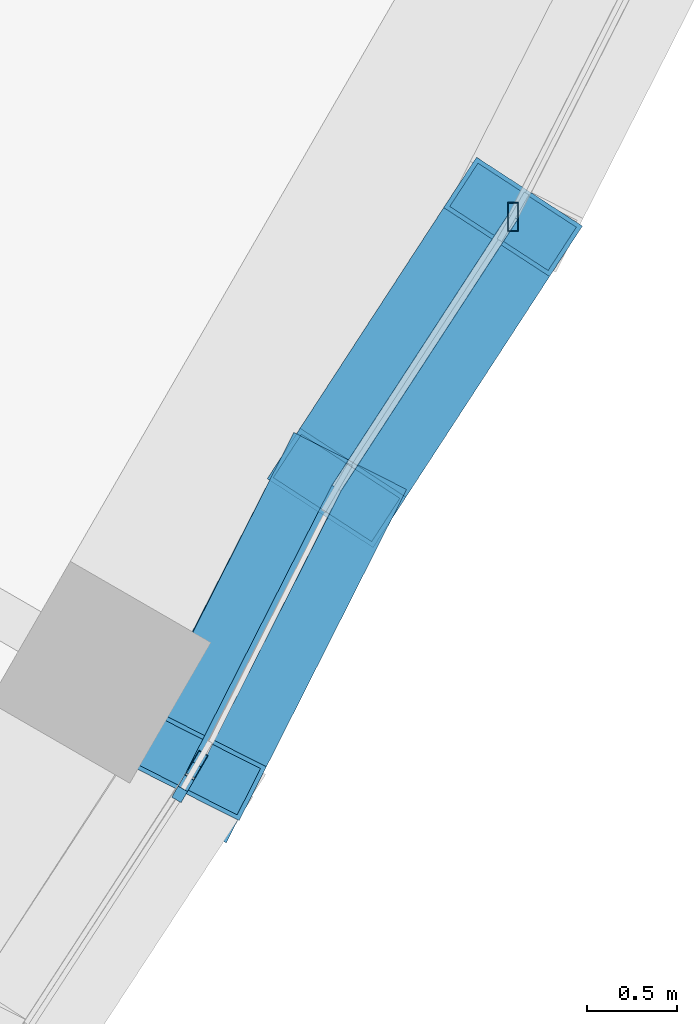
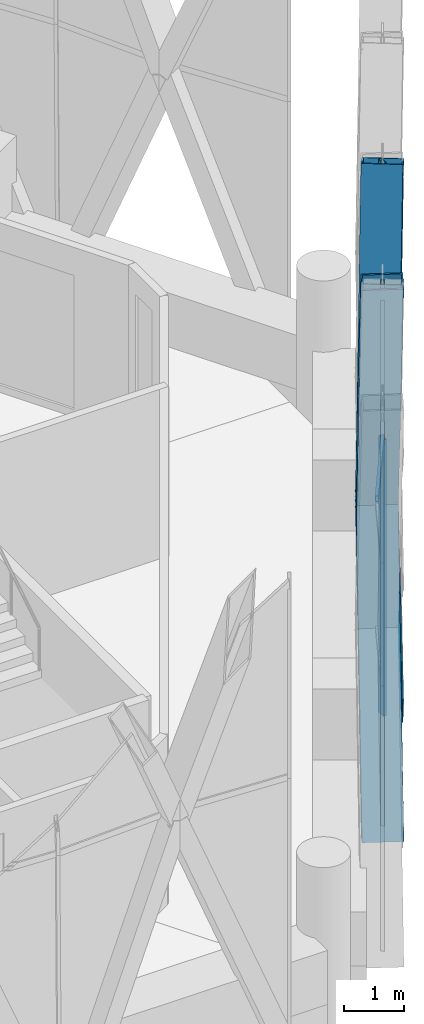
# One storey, part 7 of 21: 10 members, 2 elements without a shape of their own.
"""IFC4 building model written with IfcOpenShell, lengths in metres."""

from ifc_helpers import new_model, si_unit, direction, frame, origin, origin_2d, place, context, subcontext, project, spatial, hollow_rectangle, extrude, material, material_profile, profile_set, type_object, element, aggregate, save


model = new_model("IFC4")

# Units and contexts
model_context = context("Model", 3, precision=1e-05, world=origin(), true_north=direction((0.0, 1.0)))
body_context = subcontext(model_context, "Body", "Model", "MODEL_VIEW")
ifc_project = project(units=[si_unit("LENGTHUNIT", "METRE"), si_unit("AREAUNIT", "SQUARE_METRE"), si_unit("VOLUMEUNIT", "CUBIC_METRE"), si_unit("PLANEANGLEUNIT", "RADIAN"), si_unit("MASSUNIT", "GRAM", prefix="KILO")], contexts=[model_context])

# Site, building, storey
site_placement = place(None, origin())
site = spatial("IfcSite", under=ifc_project, at=site_placement, CompositionType="ELEMENT")
building_placement = place(site_placement, origin())
building = spatial("IfcBuilding", under=site, at=building_placement, Name="Ostrander Bayou Hotel Tower", CompositionType="ELEMENT")
storey_placement = place(building_placement, frame((0.0, 0.0, 256.25)))
storey = spatial("IfcBuildingStorey", under=building, at=storey_placement, Name="L63", CompositionType="ELEMENT", Elevation=256.25)

# Curtain wall, members
ifc_material_1 = material(Name="Aluminium and clear glass", Category="aluminium")
curtain_wall_type = type_object("IfcCurtainWallType", Name="CW-LAT lattice glazing", PredefinedType="NOTDEFINED", material=ifc_material_1)
curtain_wall_1_placement = place(storey_placement, origin())
curtain_wall_1 = element("IfcCurtainWall", 1, at=curtain_wall_1_placement, inside=storey, type_object=curtain_wall_type, Name="CW-LAT L63 SE 1", PredefinedType="NOTDEFINED")
ifc_material_2 = material(Name="Aluminium", Category="aluminium")
ifc_material_profile_1 = material_profile(ifc_material_2, hollow_rectangle(XDim=0.06005859375, YDim=0.159912109375, WallThickness=0.00390625, at=origin_2d()))
ifc_profile_set_1 = profile_set([ifc_material_profile_1], Name="Aluminium")
member_type_1 = type_object("IfcMemberType", Name="CW-LA mullion 60 x 160 mm", PredefinedType="MULLION", material=ifc_profile_set_1)
member_1_placement = place(storey_placement, frame((13.390869140625, -11.9462890625, -0.60009765625), z_axis=(0.006292904751, 0.010893235121, 0.999920865258), x_axis=(-0.865898279276, 0.500220121494, 0.0)))
member_1 = element("IfcMember", 2, at=member_1_placement, type_object=member_type_1, Name="CW-LAT mullion 4", PredefinedType="MULLION", context=body_context, shape_type="SweptSolid", body=[
    extrude(hollow_rectangle(XDim=0.06005859375, YDim=0.159912109375, WallThickness=0.00390625, at=origin_2d()), origin(), (0.0, 0.0, 1.0), 5.62548828125),
])
member_2_placement = place(storey_placement, frame((13.42626953125, -11.885009765625, 5.02490234375), z_axis=(0.006336299356, 0.010936626286, 0.999920117567), x_axis=(-0.865269522392, 0.501306945513, 0.0)))
member_2 = element("IfcMember", 3, at=member_2_placement, type_object=member_type_1, Name="CW-LAT mullion 5", PredefinedType="MULLION", context=body_context, shape_type="SweptSolid", body=[
    extrude(hollow_rectangle(XDim=0.06005859375, YDim=0.159912109375, WallThickness=0.00390625, at=origin_2d()), origin(), (0.0, 0.0, 1.0), 5.62548828125),
])
member_3_placement = place(storey_placement, frame((15.216064453125, -8.784912109375, -0.60009765625), z_axis=(0.0, 0.0, 1.0), x_axis=(1.0, 0.0, 0.0)))
member_3 = element("IfcMember", 4, at=member_3_placement, type_object=member_type_1, Name="CW-LAT mullion 8", PredefinedType="MULLION", context=body_context, shape_type="SweptSolid", body=[
    extrude(hollow_rectangle(XDim=0.06005859375, YDim=0.159912109375, WallThickness=0.00390625, at=origin_2d()), origin(), (0.0, 0.0, 1.0), 5.625),
])
member_4_placement = place(storey_placement, frame((15.216064453125, -8.784912109375, 5.02490234375), z_axis=(0.0, 0.0, 1.0), x_axis=(1.0, 0.0, 0.0)))
member_4 = element("IfcMember", 5, at=member_4_placement, type_object=member_type_1, Name="CW-LAT mullion 9", PredefinedType="MULLION", context=body_context, shape_type="SweptSolid", body=[
    extrude(hollow_rectangle(XDim=0.06005859375, YDim=0.159912109375, WallThickness=0.00390625, at=origin_2d()), origin(), (0.0, 0.0, 1.0), 5.625),
])
aggregate(curtain_wall_1, [member_1, member_2, member_3, member_4])

curtain_wall_2_placement = place(storey_placement, origin())
curtain_wall_2 = element("IfcCurtainWall", 6, at=curtain_wall_2_placement, inside=storey, type_object=curtain_wall_type, Name="CW-LAT L63 SE 2", PredefinedType="NOTDEFINED")
ifc_material_3 = material(Name="Aluminium", Category="aluminium")
ifc_material_profile_2 = material_profile(ifc_material_3, hollow_rectangle(XDim=0.06005859375, YDim=0.1201171875, WallThickness=0.00390625, at=origin_2d()))
ifc_profile_set_2 = profile_set([ifc_material_profile_2], Name="Aluminium")
member_type_2 = type_object("IfcMemberType", Name="CW-LA transom 60 x 120 mm", PredefinedType="USERDEFINED", material=ifc_profile_set_2)
member_5_placement = place(storey_placement, frame((13.42626953125, -11.885009765625, 5.02490234375), z_axis=(0.453033876418, 0.891493301611, 0.0), x_axis=(-0.891493301611, 0.453033876418, 0.0)))
member_5 = element("IfcMember", 7, at=member_5_placement, type_object=member_type_2, Name="CW-LAT transom 7", ObjectType="TRANSOM", PredefinedType="USERDEFINED", context=body_context, shape_type="SweptSolid", body=[
    extrude(hollow_rectangle(XDim=0.06005859375, YDim=0.1201171875, WallThickness=0.00390625, at=origin_2d()), origin(), (0.0, 0.0, 1.0), 1.79248046875),
])
member_6_placement = place(storey_placement, frame((15.216064453125, -8.784912109375, 5.02490234375), z_axis=(-0.545519674229, -0.838098016362, 0.0), x_axis=(0.838098016362, -0.545519674229, 0.0)))
member_6 = element("IfcMember", 8, at=member_6_placement, type_object=member_type_2, Name="CW-LAT transom 10", ObjectType="TRANSOM", PredefinedType="USERDEFINED", context=body_context, shape_type="SweptSolid", body=[
    extrude(hollow_rectangle(XDim=0.06005859375, YDim=0.1201171875, WallThickness=0.00390625, at=origin_2d()), origin(), (0.0, 0.0, 1.0), 1.79248046875),
])
aggregate(curtain_wall_2, [member_5, member_6])

# Members
ifc_material_4 = material(Name="Steel ASTM A572 Gr 50", Category="steel")
ifc_material_profile_3 = material_profile(ifc_material_4, hollow_rectangle(XDim=0.699951171875, YDim=0.35009765625, WallThickness=0.02490234375, at=origin_2d()))
ifc_profile_set_3 = profile_set([ifc_material_profile_3], Name="Steel ASTM A572 Gr 50")
member_type_3 = type_object("IfcMemberType", Name="LT1 lattice member box 700 x 350 x 25 mm", PredefinedType="BRACE", material=ifc_profile_set_3)
member_7_placement = place(storey_placement, frame((14.23828125, -10.287109375, 5.02490234375), z_axis=(-0.143010951676, -0.280006461421, -0.949286178801), x_axis=(0.890567995839, -0.454850134426, 0.0)))
element("IfcMember", 9, at=member_7_placement, inside=storey, type_object=member_type_3, Name="LT1 L63 SE 5", PredefinedType="BRACE", context=body_context, shape_type="SweptSolid", body=[
    extrude(hollow_rectangle(XDim=0.699951171875, YDim=0.35009765625, WallThickness=0.02490234375, at=origin_2d()), origin(), (0.0, 0.0, 1.0), 5.925537109375),
])
member_8_placement = place(storey_placement, frame((14.23828125, -10.287109375, 5.02490234375), z_axis=(-0.131979086351, -0.26117748126, 0.956225833184), x_axis=(0.892518630031, -0.451010526537, 0.0)))
element("IfcMember", 10, at=member_8_placement, inside=storey, type_object=member_type_3, Name="LT1 L63 SE 6", PredefinedType="BRACE", context=body_context, shape_type="SweptSolid", body=[
    extrude(hollow_rectangle(XDim=0.699951171875, YDim=0.35009765625, WallThickness=0.02490234375, at=origin_2d()), origin(), (0.0, 0.0, 1.0), 5.882568359375),
])
for number, where, z_axis, x_axis, name in (
    (11, (14.23828125, -10.287109375, 5.02490234375), (0.165623033482, 0.254451566795, -0.952797675761), (-0.838098016362, 0.545519674229, 0.0), "LT1 L63 SE 7"),
    (12, (14.23828125, -10.287109375, 5.02490234375), (0.165623033482, 0.254451566795, 0.952797675761), (-0.838098016362, 0.545519674229, 0.0), "LT1 L63 SE 8"),
):
    element("IfcMember", number, at=place(storey_placement, frame(where, z_axis=z_axis, x_axis=x_axis)), inside=storey, type_object=member_type_3, Name=name, PredefinedType="BRACE", context=body_context, shape_type="SweptSolid", body=[
        extrude(hollow_rectangle(XDim=0.699951171875, YDim=0.35009765625, WallThickness=0.02490234375, at=origin_2d()), origin(), (0.0, 0.0, 1.0), 5.903564453125),
    ])

save(model, "model.ifc")
